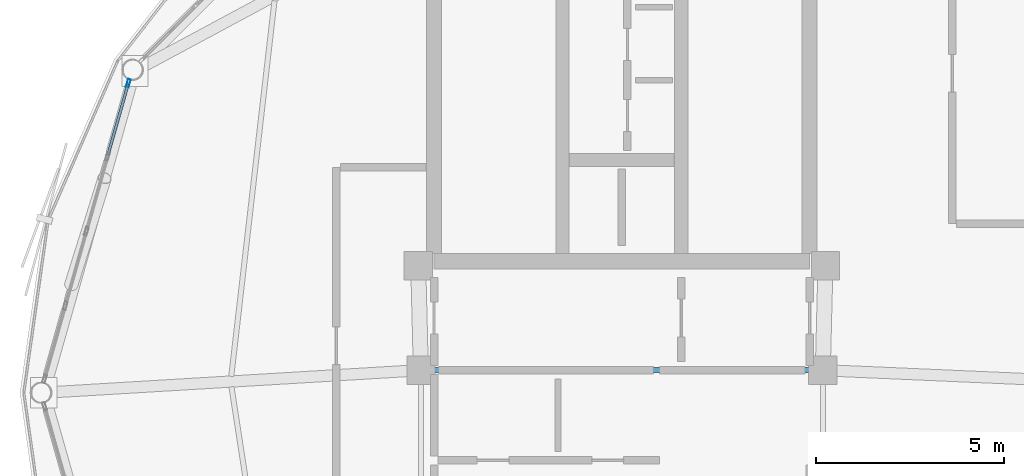
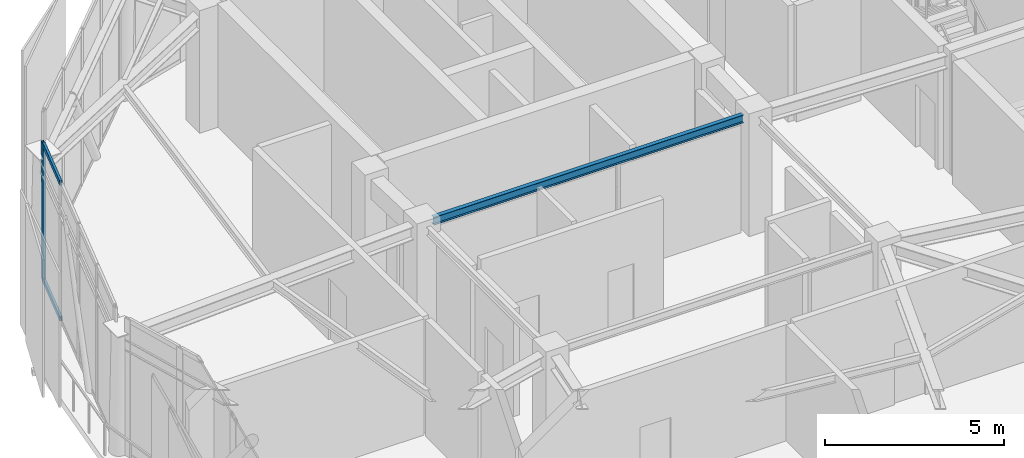
# One storey, part 8 of 20: 3 members, 1 beam, 1 element without a shape of its own.
"""IFC4 building model written with IfcOpenShell, lengths in metres."""

from ifc_helpers import new_model, si_unit, direction, frame, origin, origin_2d, place, context, subcontext, project, spatial, hollow_rectangle, i_section, extrude, material, layer, layer_set, material_profile, profile_set, type_object, element, aggregate, save


model = new_model("IFC4")

# Units and contexts
model_context = context("Model", 3, precision=1e-05, world=origin(), true_north=direction((0.0, 1.0)))
body_context = subcontext(model_context, "Body", "Model", "MODEL_VIEW")
ifc_project = project(units=[si_unit("LENGTHUNIT", "METRE"), si_unit("AREAUNIT", "SQUARE_METRE"), si_unit("VOLUMEUNIT", "CUBIC_METRE"), si_unit("PLANEANGLEUNIT", "RADIAN"), si_unit("MASSUNIT", "GRAM", prefix="KILO")], contexts=[model_context])

# Site, building, storey
site_placement = place(None, origin())
site = spatial("IfcSite", under=ifc_project, at=site_placement, CompositionType="ELEMENT")
building_placement = place(site_placement, origin())
building = spatial("IfcBuilding", under=site, at=building_placement, Name="Varnakorn Sky Granary", CompositionType="ELEMENT")
storey_placement = place(building_placement, frame((0.0, 0.0, 310.800048828125)))
storey = spatial("IfcBuildingStorey", under=building, at=storey_placement, Name="L79", CompositionType="ELEMENT", Elevation=310.800048828125)

# Beam
ifc_material_1 = material(Name="Steel S355JR", Category="steel")
ifc_material_profile_1 = material_profile(ifc_material_1, i_section(OverallWidth=0.135009765625, OverallDepth=0.27001953125, WebThickness=0.006591796875, FlangeThickness=0.01025390625, at=origin_2d()), Name="IPE 270")
ifc_profile_set_1 = profile_set([ifc_material_profile_1], Name="Steel S355JR")
beam_type = type_object("IfcBeamType", Name="BM-SEC-Z5", PredefinedType="BEAM", material=ifc_profile_set_1)
beam_placement = place(storey_placement, frame((-1.9951171875, 0.60009765625, 3.824951171875), z_axis=(1.0, 0.0, 0.0), x_axis=(0.0, 1.0, 0.0)))
element("IfcBeam", 1, at=beam_placement, inside=storey, type_object=beam_type, Name="Core Spine Framing Beam 5 L79", PredefinedType="BEAM", context=body_context, shape_type="SweptSolid", body=[
    extrude(i_section(OverallWidth=0.135009765625, OverallDepth=0.27001953125, WebThickness=0.006591796875, FlangeThickness=0.01025390625, at=origin_2d()), origin(), (0.0, 0.0, 1.0), 9.990234375),
])

# Curtain wall, members
ifc_material_2 = material(Name="Anodised Bronze Aluminium Alloy 6063-T6", Category="aluminium")
ifc_layer = layer(ifc_material_2, 0.22998046875, Name="Anodised Bronze Aluminium Alloy 6063-T6")
ifc_layer_set = layer_set([ifc_layer], Name="Anodised Bronze Aluminium Alloy 6063-T6")
curtain_wall_type = type_object("IfcCurtainWallType", Name="CW-LNT-1", PredefinedType="USERDEFINED", material=ifc_layer_set)
curtain_wall_placement = place(storey_placement, origin())
curtain_wall = element("IfcCurtainWall", 2, at=curtain_wall_placement, inside=storey, type_object=curtain_wall_type, Name="Unitised Curtain Wall CW7 CW-L79-B06", ObjectType="CURTAIN WALL", PredefinedType="USERDEFINED")
ifc_material_profile_2 = material_profile(ifc_material_2, hollow_rectangle(XDim=0.074951171875, YDim=0.219970703125, WallThickness=0.00390625, at=origin_2d()), Name="ALU MULL 75x220")
ifc_profile_set_2 = profile_set([ifc_material_profile_2], Name="Anodised Bronze Aluminium Alloy 6063-T6")
member_type_1 = type_object("IfcMemberType", Name="CW-LNT-1-MULL", PredefinedType="MULLION", material=ifc_profile_set_2)
member_1_placement = place(storey_placement, frame((-10.13623046875, 8.2412109375, 0.0), z_axis=(0.0, 0.0, 1.0), x_axis=(-0.962133920047, 0.272577181537, 0.0)))
member_1 = element("IfcMember", 3, at=member_1_placement, type_object=member_type_1, Name="CW7 mullion 5", PredefinedType="MULLION", context=body_context, shape_type="SweptSolid", body=[
    extrude(hollow_rectangle(XDim=0.074951171875, YDim=0.219970703125, WallThickness=0.00390625, at=origin_2d()), origin(), (0.0, 0.0, 1.0), 4.688232421875),
])
ifc_material_profile_3 = material_profile(ifc_material_2, hollow_rectangle(XDim=0.074951171875, YDim=0.159912109375, WallThickness=0.00390625, at=origin_2d()), Name="ALU TRAN 75x160")
ifc_profile_set_3 = profile_set([ifc_material_profile_3], Name="Anodised Bronze Aluminium Alloy 6063-T6")
member_type_2 = type_object("IfcMemberType", Name="CW-LNT-1-TRAN", PredefinedType="USERDEFINED", material=ifc_profile_set_3)
member_2_placement = place(storey_placement, frame((-10.678955078125, 6.32568359375, 0.037353515625), z_axis=(0.272558227155, 0.962139289713, 0.0), x_axis=(-0.962139289713, 0.272558227155, 0.0)))
member_2 = element("IfcMember", 4, at=member_2_placement, type_object=member_type_2, Name="CW7 transom 4.1", ObjectType="TRANSOM", PredefinedType="USERDEFINED", context=body_context, shape_type="SweptSolid", body=[
    extrude(hollow_rectangle(XDim=0.074951171875, YDim=0.159912109375, WallThickness=0.00390625, at=origin_2d()), origin(), (0.0, 0.0, 1.0), 1.95361328125),
])
member_3_placement = place(storey_placement, frame((-10.678955078125, 6.32568359375, 4.650634765625), z_axis=(0.272558227155, 0.962139289713, 0.0), x_axis=(-0.962139289713, 0.272558227155, 0.0)))
member_3 = element("IfcMember", 5, at=member_3_placement, type_object=member_type_2, Name="CW7 transom 4.2", ObjectType="TRANSOM", PredefinedType="USERDEFINED", context=body_context, shape_type="SweptSolid", body=[
    extrude(hollow_rectangle(XDim=0.074951171875, YDim=0.159912109375, WallThickness=0.00390625, at=origin_2d()), origin(), (0.0, 0.0, 1.0), 1.95361328125),
])
aggregate(curtain_wall, [member_1, member_2, member_3])

save(model, "model.ifc")
